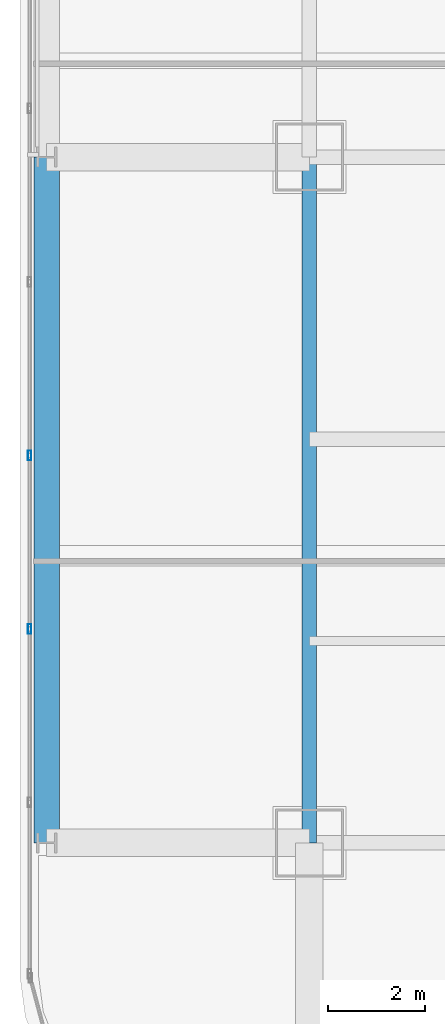
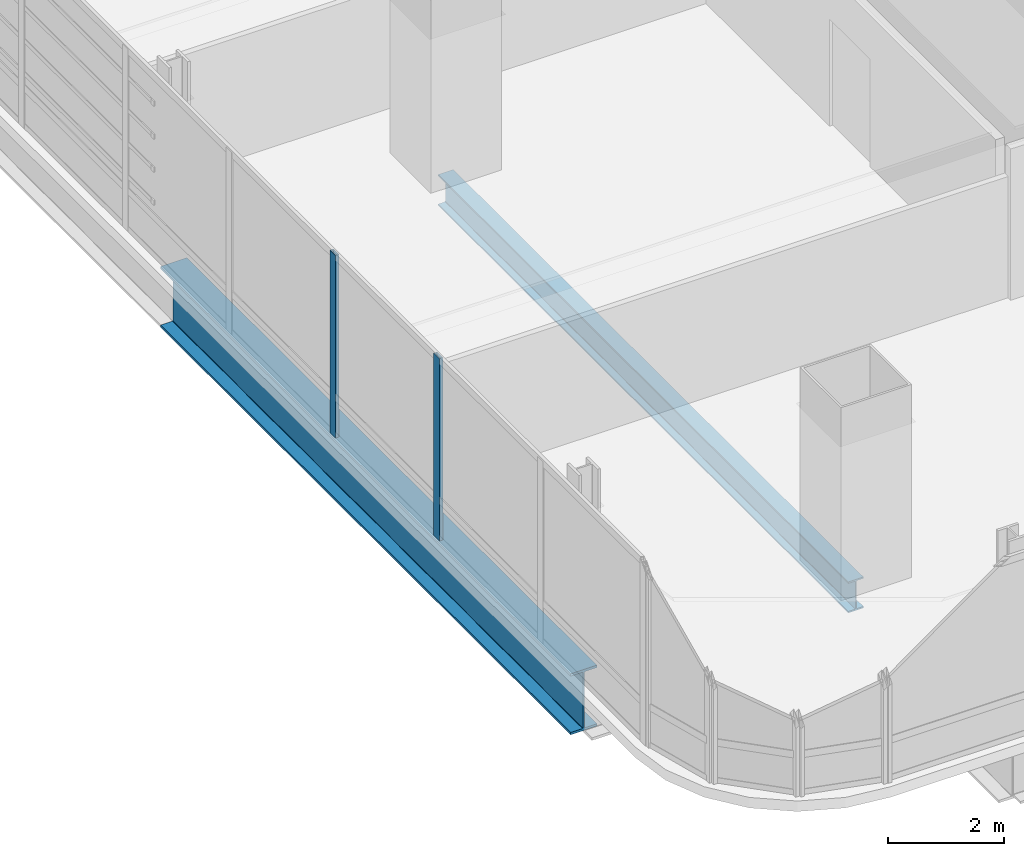
# One storey, part 4 of 36: 2 beams, 2 members, 1 element without a shape of its own.
"""IFC4 building model written with IfcOpenShell, lengths in metres."""

from ifc_helpers import new_model, si_unit, direction, frame, origin, origin_2d, place, context, subcontext, project, spatial, hollow_rectangle, i_section, extrude, material, material_profile, profile_set, type_object, element, aggregate, save


model = new_model("IFC4")

# Units and contexts
model_context = context("Model", 3, precision=1e-05, world=origin(), true_north=direction((0.0, 1.0)))
body_context = subcontext(model_context, "Body", "Model", "MODEL_VIEW")
ifc_project = project(units=[si_unit("LENGTHUNIT", "METRE"), si_unit("AREAUNIT", "SQUARE_METRE"), si_unit("VOLUMEUNIT", "CUBIC_METRE"), si_unit("PLANEANGLEUNIT", "RADIAN"), si_unit("MASSUNIT", "GRAM", prefix="KILO")], contexts=[model_context])

# Site, building, storey
site_placement = place(None, origin())
site = spatial("IfcSite", under=ifc_project, at=site_placement, CompositionType="ELEMENT")
building_placement = place(site_placement, origin())
building = spatial("IfcBuilding", under=site, at=building_placement, Name="Punatoya Terracotta Tower", CompositionType="ELEMENT")
storey_placement = place(building_placement, frame((0.0, 0.0, 184.35009765625)))
storey = spatial("IfcBuildingStorey", under=building, at=storey_placement, Name="L43", CompositionType="ELEMENT", Elevation=184.35009765625)

# Beams
ifc_material_1 = material(Name="Steel S355", Category="steel")
ifc_material_profile_1 = material_profile(ifc_material_1, i_section(OverallWidth=0.300048828125, OverallDepth=0.64990234375, WebThickness=0.01611328125, FlangeThickness=0.031005859375, FilletRadius=0.01806640625, at=origin_2d()))
ifc_profile_set_1 = profile_set([ifc_material_profile_1], Name="Steel S355")
beam_type_1 = type_object("IfcBeamType", Name="BM-PRI-650", PredefinedType="BEAM", material=ifc_profile_set_1)
beam_1_placement = place(storey_placement, frame((-19.10009765625, -17.5, -0.545166015625), z_axis=(0.0, 1.0, 0.0), x_axis=(-1.0, 0.0, 0.0)))
element("IfcBeam", 1, at=beam_1_placement, inside=storey, type_object=beam_type_1, Name="BM-L43-RG-W1", PredefinedType="BEAM", context=body_context, shape_type="SweptSolid", body=[
    extrude(i_section(OverallWidth=0.300048828125, OverallDepth=0.64990234375, WebThickness=0.01611328125, FlangeThickness=0.031005859375, FilletRadius=0.01806640625, at=origin_2d()), origin(), (0.0, 0.0, 1.0), 14.10009765625),
])
ifc_material_2 = material(Name="Steel S460", Category="steel")
ifc_material_profile_2 = material_profile(ifc_material_2, i_section(OverallWidth=0.52001953125, OverallDepth=1.280029296875, WebThickness=0.031982421875, FlangeThickness=0.050048828125, FilletRadius=0.01806640625, at=origin_2d()))
ifc_profile_set_2 = profile_set([ifc_material_profile_2], Name="Steel S460")
beam_type_2 = type_object("IfcBeamType", Name="BM-TG-NCK", PredefinedType="BEAM", material=ifc_profile_set_2)
beam_2_placement = place(storey_placement, frame((-24.5, -17.5, -0.860107421875), z_axis=(0.0, 1.0, 0.0), x_axis=(-1.0, 0.0, 0.0)))
element("IfcBeam", 2, at=beam_2_placement, inside=storey, type_object=beam_type_2, Name="BM-L43-PER-W1", PredefinedType="BEAM", context=body_context, shape_type="SweptSolid", body=[
    extrude(i_section(OverallWidth=0.52001953125, OverallDepth=1.280029296875, WebThickness=0.031982421875, FlangeThickness=0.050048828125, FilletRadius=0.01806640625, at=origin_2d()), origin(), (0.0, 0.0, 1.0), 14.10009765625),
])

# Curtain wall, members
ifc_material_3 = material(Name="Aluminium 6063-T6 + Double Low-E Glass", Category="aluminium")
curtain_wall_type = type_object("IfcCurtainWallType", Name="CW-M2", PredefinedType="NOTDEFINED", material=ifc_material_3)
curtain_wall_placement = place(storey_placement, origin())
curtain_wall = element("IfcCurtainWall", 3, at=curtain_wall_placement, inside=storey, type_object=curtain_wall_type, Name="L43 Curtain Wall CW-L43-W13-1", PredefinedType="NOTDEFINED")
ifc_material_4 = material(Name="Aluminium 6063-T6", Category="aluminium")
ifc_material_profile_3 = material_profile(ifc_material_4, hollow_rectangle(XDim=0.072021484375, YDim=0.195068359375, WallThickness=0.00439453125, at=origin_2d()))
ifc_profile_set_3 = profile_set([ifc_material_profile_3], Name="Aluminium 6063-T6")
member_type = type_object("IfcMemberType", Name="CW-MUL-M2", PredefinedType="MULLION", material=ifc_profile_set_3)
member_1_placement = place(storey_placement, frame((-24.85009765625, -9.534912109375, 0.0), z_axis=(0.0, 0.0, 1.0), x_axis=(1.0, 0.0, 0.0)))
member_1 = element("IfcMember", 4, at=member_1_placement, type_object=member_type, Name="CW-L43-W13-1 Mullion 07", PredefinedType="MULLION", context=body_context, shape_type="SweptSolid", body=[
    extrude(hollow_rectangle(XDim=0.072021484375, YDim=0.195068359375, WallThickness=0.00439453125, at=origin_2d()), origin(), (0.0, 0.0, 1.0), 3.829833984375),
])
member_2_placement = place(storey_placement, frame((-24.85009765625, -13.10205078125, 0.0), z_axis=(0.0, 0.0, 1.0), x_axis=(1.0, 0.0, 0.0)))
member_2 = element("IfcMember", 5, at=member_2_placement, type_object=member_type, Name="CW-L43-W13-1 Mullion 08", PredefinedType="MULLION", context=body_context, shape_type="SweptSolid", body=[
    extrude(hollow_rectangle(XDim=0.072021484375, YDim=0.195068359375, WallThickness=0.00439453125, at=origin_2d()), origin(), (0.0, 0.0, 1.0), 3.829833984375),
])
aggregate(curtain_wall, [member_1, member_2])

save(model, "model.ifc")
